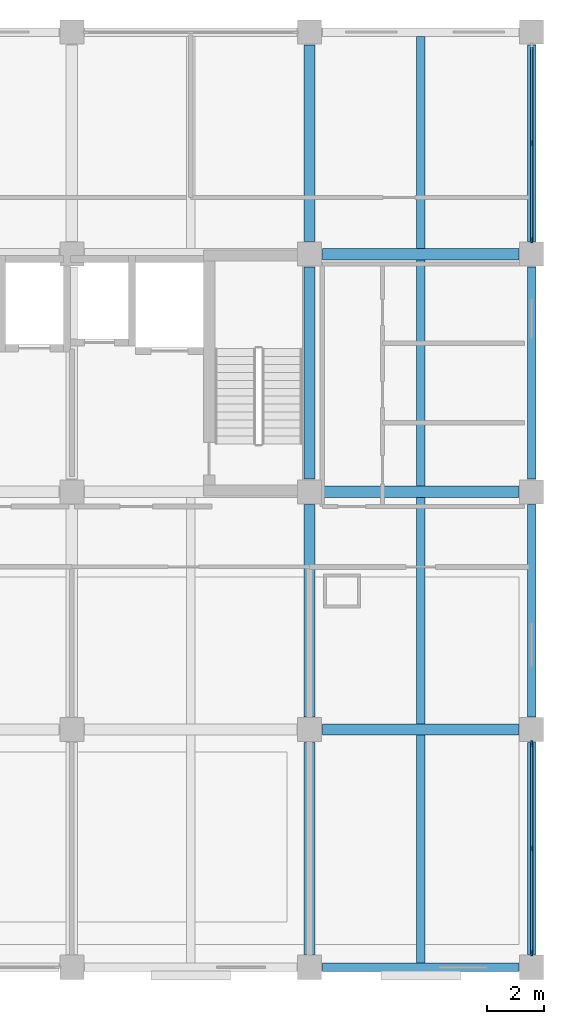
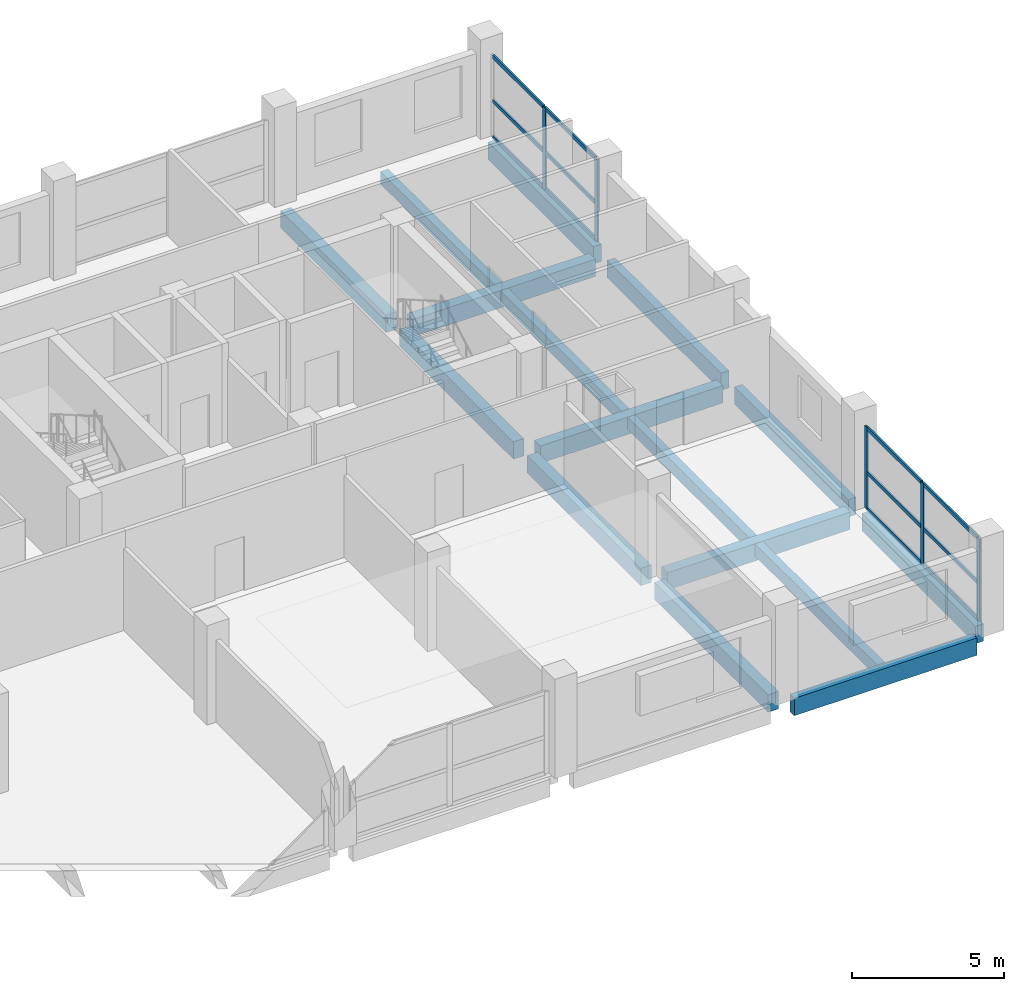
# One storey, part 4 of 11: 17 members, 16 beams, 2 elements without a shape of their own.
"""IFC4 building model written with IfcOpenShell, lengths in metres."""

import ifcopenshell
import ifcopenshell.guid

model = None  # the IFC model being written
_history = None  # IfcOwnerHistory: only IFC2X3 demands one
_inside = {}  # id of a spatial element -> (the spatial element, [elements in it])
_under = {}  # id of a project, library or spatial element -> (it, [spatial elements below it])
_declared = {}  # id of a project -> (the project, [libraries it declares])
_typed = {}  # id of a type object -> (the type object, [elements of that type])
_made_of = {}  # id of a material, layer set ... -> (it, [elements and type objects made of it])


def new_model(schema):
    """Start an empty IFC model of exactly this schema.

    Asked for "IFC4X3", IfcOpenShell would pick the latest addendum, in which some entities
    have other attributes; the version numbers below select the first issue.
    IFC2X3 requires an IfcOwnerHistory on every rooted entity: one is made here for all.
    """
    global model, _history
    if schema == "IFC4X3":
        model = ifcopenshell.file(schema_version=(4, 3, 0, 0))
    else:
        model = ifcopenshell.file(schema=schema)
    _inside.clear()
    _under.clear()
    _declared.clear()
    _typed.clear()
    _made_of.clear()
    _history = None
    if model.schema == "IFC2X3":
        org = make("IfcOrganization", Name="unknown")
        user = make(
            "IfcPersonAndOrganization",
            ThePerson=make("IfcPerson", FamilyName="unknown"),
            TheOrganization=org,
        )
        app = make(
            "IfcApplication",
            ApplicationDeveloper=org,
            Version="unknown",
            ApplicationFullName="unknown",
            ApplicationIdentifier="unknown",
        )
        _history = make(
            "IfcOwnerHistory",
            OwningUser=user,
            OwningApplication=app,
            ChangeAction="ADDED",
            CreationDate=0,
        )
    return model


def make(cls, **values):
    """One entity of the class cls with the attributes given. An attribute that is None is left unset."""
    return model.create_entity(
        cls, **{name: value for name, value in values.items() if value is not None}
    )


def rooted(cls, **values):
    """An entity with a GlobalId (a new one), such as an element, a storey or a relation."""
    return make(cls, GlobalId=ifcopenshell.guid.new(), OwnerHistory=_history, **values)


def si_unit(unit_type, name, prefix=None):
    """IfcSIUnit, for example si_unit("LENGTHUNIT", "METRE", prefix="MILLI")."""
    return make("IfcSIUnit", UnitType=unit_type, Prefix=prefix, Name=name)


def assignment(units):
    """IfcUnitAssignment: the units of a project."""
    return None if units is None else make("IfcUnitAssignment", Units=units)


def point(xyz):
    """IfcCartesianPoint."""
    return None if xyz is None else make("IfcCartesianPoint", Coordinates=xyz)


def direction(xyz):
    """IfcDirection."""
    return None if xyz is None else make("IfcDirection", DirectionRatios=xyz)


def frame(location, z_axis=None, x_axis=None):
    """IfcAxis2Placement3D, a coordinate frame: its origin and axes. An axis left out is left unset."""
    return make(
        "IfcAxis2Placement3D",
        Location=point(location),
        Axis=direction(z_axis),
        RefDirection=direction(x_axis),
    )


def frame_2d(location, x_axis=None):
    """IfcAxis2Placement2D, a coordinate frame in the plane: its origin and x axis."""
    return make(
        "IfcAxis2Placement2D", Location=point(location), RefDirection=direction(x_axis)
    )


def origin():
    """The frame at (0, 0, 0) with its axes left unset."""
    return frame((0.0, 0.0, 0.0))


def origin_2d():
    """The frame at (0, 0) in the plane with its x axis left unset."""
    return frame_2d((0.0, 0.0))


def place(relative_to, where):
    """IfcLocalPlacement: puts the frame where relative to a parent placement (None: the world)."""
    return make(
        "IfcLocalPlacement", PlacementRelTo=relative_to, RelativePlacement=where
    )


def context(
    kind, dimensions, precision=None, world=None, true_north=None, identifier=None
):
    """IfcGeometricRepresentationContext, for example the 3D "Model" context."""
    return make(
        "IfcGeometricRepresentationContext",
        ContextIdentifier=identifier,
        ContextType=kind,
        CoordinateSpaceDimension=dimensions,
        Precision=precision,
        WorldCoordinateSystem=world,
        TrueNorth=true_north,
    )


def subcontext(parent, identifier, kind, view, scale=None):
    """IfcGeometricRepresentationSubContext, for example "Body" below "Model"."""
    return make(
        "IfcGeometricRepresentationSubContext",
        ContextIdentifier=identifier,
        ContextType=kind,
        ParentContext=parent,
        TargetScale=scale,
        TargetView=view,
    )


def project(units=None, contexts=None):
    """IfcProject with its units and contexts."""
    return rooted(
        "IfcProject",
        Name="project",
        RepresentationContexts=contexts,
        UnitsInContext=assignment(units),
    )


def spatial(cls, under=None, at=None, **own):
    """A site, building, storey or space (cls), placed at a placement, below another one or the project."""
    s = rooted(cls, ObjectPlacement=at, **own)
    if under is not None:
        _under.setdefault(under.id(), (under, []))[1].append(s)
    return s


def profile(cls, at=None, kind="AREA", **sizes):
    """A parametric profile (cls). Its sizes go by their IFC names, for example OverallWidth=200.0."""
    return make(cls, ProfileType=kind, Position=at, **sizes)


def rectangle(**sizes):
    """IfcRectangleProfileDef."""
    return profile("IfcRectangleProfileDef", **sizes)


def extrude(swept, where, along, depth):
    """IfcExtrudedAreaSolid: the profile swept, set in the frame where, extruded along a direction by depth."""
    return make(
        "IfcExtrudedAreaSolid",
        SweptArea=swept,
        Position=where,
        ExtrudedDirection=direction(along),
        Depth=depth,
    )


def shape(context_of_items, identifier, shape_type, items):
    """IfcShapeRepresentation: the items that make up one representation, for example the "Body"."""
    return make(
        "IfcShapeRepresentation",
        ContextOfItems=context_of_items,
        RepresentationIdentifier=identifier,
        RepresentationType=shape_type,
        Items=items,
    )


def material(Name=None, Category=None):
    """IfcMaterial."""
    return make("IfcMaterial", Name=Name, Category=Category)


def material_profile(
    of_material, cross_section, Name=None, Category=None, Priority=None
):
    """IfcMaterialProfile: a cross section and its material."""
    return make(
        "IfcMaterialProfile",
        Name=Name,
        Material=of_material,
        Profile=cross_section,
        Priority=Priority,
        Category=Category,
    )


def profile_set(profiles, Name=None, composite=None):
    """IfcMaterialProfileSet."""
    return make(
        "IfcMaterialProfileSet",
        Name=Name,
        MaterialProfiles=profiles,
        CompositeProfile=composite,
    )


def made_of(thing, what):
    """Note that an element or type object is made of a material, layer set ...; save() writes the relation."""
    if what is not None:
        _made_of.setdefault(what.id(), (what, []))[1].append(thing)
    return thing


def type_object(cls, material=None, **own):
    """A type object (cls), such as IfcWallType, which elements share."""
    return made_of(rooted(cls, **own), material)


def element(
    cls,
    number,
    at=None,
    inside=None,
    cuts=None,
    type_object=None,
    material=None,
    context=None,
    identifier="Body",
    shape_type=None,
    held_by="IfcProductDefinitionShape",
    body=None,
    shapes=None,
    **own,
):
    """One element of the class cls, such as IfcWall. Its Tag is "e" and its number.

    at: its placement. inside: the storey or other place that contains it. cuts: it is an
    opening in that element (IfcRelVoidsElement). A single representation is given by context,
    identifier, shape_type and body (its items); several are given by shapes. held_by: the class
    of the entity that holds the representations. save() writes the other relations.
    """
    e = rooted(cls, Tag="e%d" % number, ObjectPlacement=at, **own)
    if body is not None:
        shapes = [shape(context, identifier, shape_type, body)]
    if shapes is not None:
        e.Representation = make(held_by, Representations=shapes)
    if inside is not None:
        _inside.setdefault(inside.id(), (inside, []))[1].append(e)
    if cuts is not None:
        rooted(
            "IfcRelVoidsElement", RelatingBuildingElement=cuts, RelatedOpeningElement=e
        )
    if type_object is not None:
        _typed.setdefault(type_object.id(), (type_object, []))[1].append(e)
    return made_of(e, material)


def aggregate(whole, parts):
    """IfcRelAggregates: a whole, such as a stair, and the parts it consists of."""
    return rooted("IfcRelAggregates", RelatingObject=whole, RelatedObjects=parts)


def save(model, path):
    """Write the relations noted so far, then the file.

    IfcRelAggregates (storeys below a building ...), IfcRelContainedInSpatialStructure (elements
    in a storey), IfcRelDefinesByType, IfcRelAssociatesMaterial and IfcRelDeclares: one each for
    every whole, place, type object, material and project.
    """
    for whole, parts in _under.values():
        aggregate(whole, parts)
    for where, things in _inside.values():
        rooted(
            "IfcRelContainedInSpatialStructure",
            RelatedElements=things,
            RelatingStructure=where,
        )
    for kind, things in _typed.values():
        rooted("IfcRelDefinesByType", RelatedObjects=things, RelatingType=kind)
    for what, things in _made_of.values():
        rooted("IfcRelAssociatesMaterial", RelatedObjects=things, RelatingMaterial=what)
    for by, libraries in _declared.values():
        rooted("IfcRelDeclares", RelatingContext=by, RelatedDefinitions=libraries)
    model.write(path)


model = new_model("IFC4")

# Units and contexts
model_context = context("Model", 3, precision=1e-05, world=origin(), true_north=direction((0.0, 1.0)))
body_context = subcontext(model_context, "Body", "Model", "MODEL_VIEW")
ifc_project = project(units=[si_unit("LENGTHUNIT", "METRE"), si_unit("AREAUNIT", "SQUARE_METRE"), si_unit("VOLUMEUNIT", "CUBIC_METRE"), si_unit("PLANEANGLEUNIT", "RADIAN"), si_unit("MASSUNIT", "GRAM", prefix="KILO")], contexts=[model_context])

# Site, building, storey
site_placement = place(None, origin())
site = spatial("IfcSite", under=ifc_project, at=site_placement, CompositionType="ELEMENT")
building_placement = place(site_placement, origin())
building = spatial("IfcBuilding", under=site, at=building_placement, Name="Brinegate Botanical Conservatory", CompositionType="ELEMENT")
storey_placement = place(building_placement, frame((0.0, 0.0, 23.39990234375)))
storey = spatial("IfcBuildingStorey", under=building, at=storey_placement, Name="L06", CompositionType="ELEMENT", Elevation=23.39990234375)

# Beams
ifc_material_1 = material(Name="Concrete C40/50", Category="concrete")
ifc_material_profile_1 = material_profile(ifc_material_1, rectangle(XDim=0.39990234375, YDim=0.699951171875, at=origin_2d()), Name="RC BM 400x700")
ifc_profile_set_1 = profile_set([ifc_material_profile_1], Name="Concrete C40/50")
beam_type_1 = type_object("IfcBeamType", Name="Beam_BM-T2", PredefinedType="BEAM", material=ifc_profile_set_1)
for number, where, z_axis, x_axis, name in (
    (1, (156.050048828125, 86.800048828125, -0.52978515625), (1.0, 0.0, 0.0), (0.0, 1.0, 0.0), "Beam BM-T2 L06 L:20-21"),
    (2, (156.050048828125, 95.199951171875, -0.52978515625), (1.0, 0.0, 0.0), (0.0, 1.0, 0.0), "Beam BM-T2 L06 M:20-21"),
    (3, (156.050048828125, 103.60009765625, -0.52978515625), (1.0, 0.0, 0.0), (0.0, 1.0, 0.0), "Beam BM-T2 L06 N:20-21"),
):
    element("IfcBeam", number, at=place(storey_placement, frame(where, z_axis=z_axis, x_axis=x_axis)), inside=storey, type_object=beam_type_1, Name=name, PredefinedType="BEAM", context=body_context, shape_type="SweptSolid", body=[
        extrude(rectangle(XDim=0.39990234375, YDim=0.699951171875, at=origin_2d()), origin(), (0.0, 0.0, 1.0), 6.949951171875),
    ])
for number, where, z_axis, x_axis, name in (
    (4, (155.60009765625, 78.85009765625, -0.52978515625), (0.0, 1.0, 0.0), (-1.0, 0.0, 0.0), "Beam BM-T2 L06 20:K-L"),
    (5, (155.60009765625, 87.25, -0.52978515625), (0.0, 1.0, 0.0), (-1.0, 0.0, 0.0), "Beam BM-T2 L06 20:L-M"),
    (6, (155.60009765625, 95.64990234375, -0.52978515625), (0.0, 1.0, 0.0), (-1.0, 0.0, 0.0), "Beam BM-T2 L06 20:M-N"),
):
    element("IfcBeam", number, at=place(storey_placement, frame(where, z_axis=z_axis, x_axis=x_axis)), inside=storey, type_object=beam_type_1, Name=name, PredefinedType="BEAM", context=body_context, shape_type="SweptSolid", body=[
        extrude(rectangle(XDim=0.39990234375, YDim=0.699951171875, at=origin_2d()), origin(), (0.0, 0.0, 1.0), 7.5),
    ])
beam_1_placement = place(storey_placement, frame((155.60009765625, 104.050048828125, -0.52978515625), z_axis=(0.0, 1.0, 0.0), x_axis=(-1.0, 0.0, 0.0)))
element("IfcBeam", 7, at=beam_1_placement, inside=storey, type_object=beam_type_1, Name="Beam BM-T2 L06 20:N-P", PredefinedType="BEAM", context=body_context, shape_type="SweptSolid", body=[
    extrude(rectangle(XDim=0.39990234375, YDim=0.699951171875, at=origin_2d()), origin(), (0.0, 0.0, 1.0), 6.949951171875),
])
ifc_material_profile_2 = material_profile(ifc_material_1, rectangle(XDim=0.300048828125, YDim=0.5, at=origin_2d()), Name="RC JST 300x500")
ifc_profile_set_2 = profile_set([ifc_material_profile_2], Name="Concrete C40/50")
beam_type_2 = type_object("IfcBeamType", Name="Beam_JS-C2", PredefinedType="JOIST", material=ifc_profile_set_2)
beam_2_placement = place(storey_placement, frame((159.52490234375, 78.550048828125, -0.429931640625), z_axis=(0.0, 1.0, 0.0), x_axis=(-1.0, 0.0, 0.0)))
element("IfcBeam", 8, at=beam_2_placement, inside=storey, type_object=beam_type_2, Name="Floor joist JS-C2 L06 bay 20.10", PredefinedType="JOIST", context=body_context, shape_type="SweptSolid", body=[
    extrude(rectangle(XDim=0.300048828125, YDim=0.5, at=origin_2d()), origin(), (0.0, 0.0, 1.0), 8.050048828125),
])
for number, where, z_axis, x_axis, name in (
    (9, (159.52490234375, 87.0, -0.429931640625), (0.0, 1.0, 0.0), (-1.0, 0.0, 0.0), "Floor joist JS-C2 L06 bay 20.11"),
    (10, (159.52490234375, 95.39990234375, -0.429931640625), (0.0, 1.0, 0.0), (-1.0, 0.0, 0.0), "Floor joist JS-C2 L06 bay 20.12"),
):
    element("IfcBeam", number, at=place(storey_placement, frame(where, z_axis=z_axis, x_axis=x_axis)), inside=storey, type_object=beam_type_2, Name=name, PredefinedType="JOIST", context=body_context, shape_type="SweptSolid", body=[
        extrude(rectangle(XDim=0.300048828125, YDim=0.5, at=origin_2d()), origin(), (0.0, 0.0, 1.0), 8.0),
    ])
beam_3_placement = place(storey_placement, frame((159.52490234375, 103.800048828125, -0.429931640625), z_axis=(0.0, 1.0, 0.0), x_axis=(-1.0, 0.0, 0.0)))
element("IfcBeam", 11, at=beam_3_placement, inside=storey, type_object=beam_type_2, Name="Floor joist JS-C2 L06 bay 20.13", PredefinedType="JOIST", context=body_context, shape_type="SweptSolid", body=[
    extrude(rectangle(XDim=0.300048828125, YDim=0.5, at=origin_2d()), origin(), (0.0, 0.0, 1.0), 7.5),
])
ifc_material_profile_3 = material_profile(ifc_material_1, rectangle(XDim=0.300048828125, YDim=0.699951171875, at=origin_2d()), Name="RC SPN 300x700")
ifc_profile_set_3 = profile_set([ifc_material_profile_3], Name="Concrete C40/50")
beam_type_3 = type_object("IfcBeamType", Name="Beam_SP-02", PredefinedType="SPANDREL", material=ifc_profile_set_3)
beam_4_placement = place(storey_placement, frame((156.050048828125, 78.39990234375, -0.52978515625), z_axis=(1.0, 0.0, 0.0), x_axis=(0.0, 1.0, 0.0)))
element("IfcBeam", 12, at=beam_4_placement, inside=storey, type_object=beam_type_3, Name="Beam SP-02 L06 K:20-21", PredefinedType="SPANDREL", context=body_context, shape_type="SweptSolid", body=[
    extrude(rectangle(XDim=0.300048828125, YDim=0.699951171875, at=origin_2d()), origin(), (0.0, 0.0, 1.0), 6.949951171875),
])
for number, where, z_axis, x_axis, name in (
    (13, (163.449951171875, 78.85009765625, -0.52978515625), (0.0, 1.0, 0.0), (-1.0, 0.0, 0.0), "Beam SP-02 L06 21:K-L"),
    (14, (163.449951171875, 87.25, -0.52978515625), (0.0, 1.0, 0.0), (-1.0, 0.0, 0.0), "Beam SP-02 L06 21:L-M"),
    (15, (163.449951171875, 95.64990234375, -0.52978515625), (0.0, 1.0, 0.0), (-1.0, 0.0, 0.0), "Beam SP-02 L06 21:M-N"),
):
    element("IfcBeam", number, at=place(storey_placement, frame(where, z_axis=z_axis, x_axis=x_axis)), inside=storey, type_object=beam_type_3, Name=name, PredefinedType="SPANDREL", context=body_context, shape_type="SweptSolid", body=[
        extrude(rectangle(XDim=0.300048828125, YDim=0.699951171875, at=origin_2d()), origin(), (0.0, 0.0, 1.0), 7.5),
    ])
beam_5_placement = place(storey_placement, frame((163.449951171875, 104.050048828125, -0.52978515625), z_axis=(0.0, 1.0, 0.0), x_axis=(-1.0, 0.0, 0.0)))
element("IfcBeam", 16, at=beam_5_placement, inside=storey, type_object=beam_type_3, Name="Beam SP-02 L06 21:N-P", PredefinedType="SPANDREL", context=body_context, shape_type="SweptSolid", body=[
    extrude(rectangle(XDim=0.300048828125, YDim=0.699951171875, at=origin_2d()), origin(), (0.0, 0.0, 1.0), 6.949951171875),
])

# Curtain wall, members
ifc_material_2 = material(Name="Thermally broken anodised aluminium AW-6063-T6", Category="aluminium")
curtain_wall_type = type_object("IfcCurtainWallType", Name="CW_CW-TW1", PredefinedType="USERDEFINED", material=ifc_material_2)
curtain_wall_1_placement = place(storey_placement, origin())
curtain_wall_1 = element("IfcCurtainWall", 17, at=curtain_wall_1_placement, inside=storey, type_object=curtain_wall_type, Name="Tower east curtain wall L06.1", ObjectType="FACTORY CURTAIN WALL", PredefinedType="USERDEFINED")
ifc_material_profile_4 = material_profile(ifc_material_2, rectangle(XDim=0.070068359375, YDim=0.199951171875, at=origin_2d()), Name="ALUM MULLION 70x200")
ifc_profile_set_4 = profile_set([ifc_material_profile_4], Name="Thermally broken anodised aluminium AW-6063-T6")
member_type_1 = type_object("IfcMemberType", Name="Member_ML-03", PredefinedType="MULLION", material=ifc_profile_set_4)
member_1_placement = place(storey_placement, frame((163.449951171875, 86.300048828125, 0.0), z_axis=(0.0, 0.0, 1.0), x_axis=(1.0, 0.0, 0.0)))
member_1 = element("IfcMember", 18, at=member_1_placement, type_object=member_type_1, Name="CW-TW1 mullion 1", PredefinedType="MULLION", context=body_context, shape_type="SweptSolid", body=[
    extrude(rectangle(XDim=0.070068359375, YDim=0.199951171875, at=origin_2d()), origin(), (0.0, 0.0, 1.0), 3.300048828125),
])
member_2_placement = place(storey_placement, frame((163.449951171875, 82.60009765625, 0.0), z_axis=(0.0, 0.0, 1.0), x_axis=(1.0, 0.0, 0.0)))
member_2 = element("IfcMember", 19, at=member_2_placement, type_object=member_type_1, Name="CW-TW1 mullion 2", PredefinedType="MULLION", context=body_context, shape_type="SweptSolid", body=[
    extrude(rectangle(XDim=0.070068359375, YDim=0.199951171875, at=origin_2d()), origin(), (0.0, 0.0, 1.0), 3.300048828125),
])
member_3_placement = place(storey_placement, frame((163.449951171875, 78.89990234375, 0.0), z_axis=(0.0, 0.0, 1.0), x_axis=(1.0, 0.0, 0.0)))
member_3 = element("IfcMember", 20, at=member_3_placement, type_object=member_type_1, Name="CW-TW1 mullion 3", PredefinedType="MULLION", context=body_context, shape_type="SweptSolid", body=[
    extrude(rectangle(XDim=0.070068359375, YDim=0.199951171875, at=origin_2d()), origin(), (0.0, 0.0, 1.0), 3.300048828125),
])

curtain_wall_2_placement = place(storey_placement, origin())
curtain_wall_2 = element("IfcCurtainWall", 21, at=curtain_wall_2_placement, inside=storey, type_object=curtain_wall_type, Name="Tower east curtain wall L06.4", ObjectType="FACTORY CURTAIN WALL", PredefinedType="USERDEFINED")
member_4_placement = place(storey_placement, frame((163.449951171875, 107.52490234375, 0.0), z_axis=(0.0, 0.0, 1.0), x_axis=(1.0, 0.0, 0.0)))
member_4 = element("IfcMember", 22, at=member_4_placement, type_object=member_type_1, Name="CW-TW1 mullion 2", PredefinedType="MULLION", context=body_context, shape_type="SweptSolid", body=[
    extrude(rectangle(XDim=0.070068359375, YDim=0.199951171875, at=origin_2d()), origin(), (0.0, 0.0, 1.0), 3.300048828125),
])
member_5_placement = place(storey_placement, frame((163.449951171875, 104.10009765625, 0.0), z_axis=(0.0, 0.0, 1.0), x_axis=(1.0, 0.0, 0.0)))
member_5 = element("IfcMember", 23, at=member_5_placement, type_object=member_type_1, Name="CW-TW1 mullion 3", PredefinedType="MULLION", context=body_context, shape_type="SweptSolid", body=[
    extrude(rectangle(XDim=0.070068359375, YDim=0.199951171875, at=origin_2d()), origin(), (0.0, 0.0, 1.0), 3.300048828125),
])

# Member
ifc_material_profile_5 = material_profile(ifc_material_2, rectangle(XDim=0.070068359375, YDim=0.14990234375, at=origin_2d()), Name="ALUM TRANSOM 70x150")
ifc_profile_set_5 = profile_set([ifc_material_profile_5], Name="Thermally broken anodised aluminium AW-6063-T6")
member_type_2 = type_object("IfcMemberType", Name="Member_TR-03", PredefinedType="USERDEFINED", material=ifc_profile_set_5)
member_6_placement = place(storey_placement, frame((163.449951171875, 86.264892578125, 0.03515625), z_axis=(0.0, -1.0, 0.0), x_axis=(1.0, 0.0, 0.0)))
member_6 = element("IfcMember", 24, at=member_6_placement, type_object=member_type_2, Name="CW-TW1 transom 1.1", ObjectType="TRANSOM", PredefinedType="USERDEFINED", context=body_context, shape_type="SweptSolid", body=[
    extrude(rectangle(XDim=0.070068359375, YDim=0.14990234375, at=origin_2d()), origin(), (0.0, 0.0, 1.0), 3.6298828125),
])

member_7_placement = place(storey_placement, frame((163.449951171875, 86.264892578125, 1.485107421875), z_axis=(0.0, -1.0, 0.0), x_axis=(1.0, 0.0, 0.0)))
member_7 = element("IfcMember", 25, at=member_7_placement, type_object=member_type_2, Name="CW-TW1 transom 1.2", ObjectType="TRANSOM", PredefinedType="USERDEFINED", context=body_context, shape_type="SweptSolid", body=[
    extrude(rectangle(XDim=0.070068359375, YDim=0.14990234375, at=origin_2d()), origin(), (0.0, 0.0, 1.0), 3.6298828125),
])

member_8_placement = place(storey_placement, frame((163.449951171875, 86.264892578125, 3.26513671875), z_axis=(0.0, -1.0, 0.0), x_axis=(1.0, 0.0, 0.0)))
member_8 = element("IfcMember", 26, at=member_8_placement, type_object=member_type_2, Name="CW-TW1 transom 1.3", ObjectType="TRANSOM", PredefinedType="USERDEFINED", context=body_context, shape_type="SweptSolid", body=[
    extrude(rectangle(XDim=0.070068359375, YDim=0.14990234375, at=origin_2d()), origin(), (0.0, 0.0, 1.0), 3.6298828125),
])

member_9_placement = place(storey_placement, frame((163.449951171875, 82.56494140625, 0.03515625), z_axis=(0.0, -1.0, 0.0), x_axis=(1.0, 0.0, 0.0)))
member_9 = element("IfcMember", 27, at=member_9_placement, type_object=member_type_2, Name="CW-TW1 transom 2.1", ObjectType="TRANSOM", PredefinedType="USERDEFINED", context=body_context, shape_type="SweptSolid", body=[
    extrude(rectangle(XDim=0.070068359375, YDim=0.14990234375, at=origin_2d()), origin(), (0.0, 0.0, 1.0), 3.6298828125),
])

member_10_placement = place(storey_placement, frame((163.449951171875, 82.56494140625, 1.485107421875), z_axis=(0.0, -1.0, 0.0), x_axis=(1.0, 0.0, 0.0)))
member_10 = element("IfcMember", 28, at=member_10_placement, type_object=member_type_2, Name="CW-TW1 transom 2.2", ObjectType="TRANSOM", PredefinedType="USERDEFINED", context=body_context, shape_type="SweptSolid", body=[
    extrude(rectangle(XDim=0.070068359375, YDim=0.14990234375, at=origin_2d()), origin(), (0.0, 0.0, 1.0), 3.6298828125),
])

member_11_placement = place(storey_placement, frame((163.449951171875, 82.56494140625, 3.26513671875), z_axis=(0.0, -1.0, 0.0), x_axis=(1.0, 0.0, 0.0)))
member_11 = element("IfcMember", 29, at=member_11_placement, type_object=member_type_2, Name="CW-TW1 transom 2.3", ObjectType="TRANSOM", PredefinedType="USERDEFINED", context=body_context, shape_type="SweptSolid", body=[
    extrude(rectangle(XDim=0.070068359375, YDim=0.14990234375, at=origin_2d()), origin(), (0.0, 0.0, 1.0), 3.6298828125),
])

aggregate(curtain_wall_1, [member_1, member_2, member_3, member_6, member_7, member_8, member_9, member_10, member_11])

member_12_placement = place(storey_placement, frame((163.449951171875, 110.9150390625, 0.03515625), z_axis=(0.0, -1.0, 0.0), x_axis=(1.0, 0.0, 0.0)))
member_12 = element("IfcMember", 30, at=member_12_placement, type_object=member_type_2, Name="CW-TW1 transom 1.1", ObjectType="TRANSOM", PredefinedType="USERDEFINED", context=body_context, shape_type="SweptSolid", body=[
    extrude(rectangle(XDim=0.070068359375, YDim=0.14990234375, at=origin_2d()), origin(), (0.0, 0.0, 1.0), 3.35498046875),
])

member_13_placement = place(storey_placement, frame((163.449951171875, 110.9150390625, 1.485107421875), z_axis=(0.0, -1.0, 0.0), x_axis=(1.0, 0.0, 0.0)))
member_13 = element("IfcMember", 31, at=member_13_placement, type_object=member_type_2, Name="CW-TW1 transom 1.2", ObjectType="TRANSOM", PredefinedType="USERDEFINED", context=body_context, shape_type="SweptSolid", body=[
    extrude(rectangle(XDim=0.070068359375, YDim=0.14990234375, at=origin_2d()), origin(), (0.0, 0.0, 1.0), 3.35498046875),
])

member_14_placement = place(storey_placement, frame((163.449951171875, 110.9150390625, 3.26513671875), z_axis=(0.0, -1.0, 0.0), x_axis=(1.0, 0.0, 0.0)))
member_14 = element("IfcMember", 32, at=member_14_placement, type_object=member_type_2, Name="CW-TW1 transom 1.3", ObjectType="TRANSOM", PredefinedType="USERDEFINED", context=body_context, shape_type="SweptSolid", body=[
    extrude(rectangle(XDim=0.070068359375, YDim=0.14990234375, at=origin_2d()), origin(), (0.0, 0.0, 1.0), 3.35498046875),
])

member_15_placement = place(storey_placement, frame((163.449951171875, 107.489990234375, 0.03515625), z_axis=(0.0, -1.0, 0.0), x_axis=(1.0, 0.0, 0.0)))
member_15 = element("IfcMember", 33, at=member_15_placement, type_object=member_type_2, Name="CW-TW1 transom 2.1", ObjectType="TRANSOM", PredefinedType="USERDEFINED", context=body_context, shape_type="SweptSolid", body=[
    extrude(rectangle(XDim=0.070068359375, YDim=0.14990234375, at=origin_2d()), origin(), (0.0, 0.0, 1.0), 3.35498046875),
])

member_16_placement = place(storey_placement, frame((163.449951171875, 107.489990234375, 1.485107421875), z_axis=(0.0, -1.0, 0.0), x_axis=(1.0, 0.0, 0.0)))
member_16 = element("IfcMember", 34, at=member_16_placement, type_object=member_type_2, Name="CW-TW1 transom 2.2", ObjectType="TRANSOM", PredefinedType="USERDEFINED", context=body_context, shape_type="SweptSolid", body=[
    extrude(rectangle(XDim=0.070068359375, YDim=0.14990234375, at=origin_2d()), origin(), (0.0, 0.0, 1.0), 3.35498046875),
])

member_17_placement = place(storey_placement, frame((163.449951171875, 107.489990234375, 3.26513671875), z_axis=(0.0, -1.0, 0.0), x_axis=(1.0, 0.0, 0.0)))
member_17 = element("IfcMember", 35, at=member_17_placement, type_object=member_type_2, Name="CW-TW1 transom 2.3", ObjectType="TRANSOM", PredefinedType="USERDEFINED", context=body_context, shape_type="SweptSolid", body=[
    extrude(rectangle(XDim=0.070068359375, YDim=0.14990234375, at=origin_2d()), origin(), (0.0, 0.0, 1.0), 3.35498046875),
])

aggregate(curtain_wall_2, [member_4, member_5, member_12, member_13, member_14, member_15, member_16, member_17])

save(model, "model.ifc")
